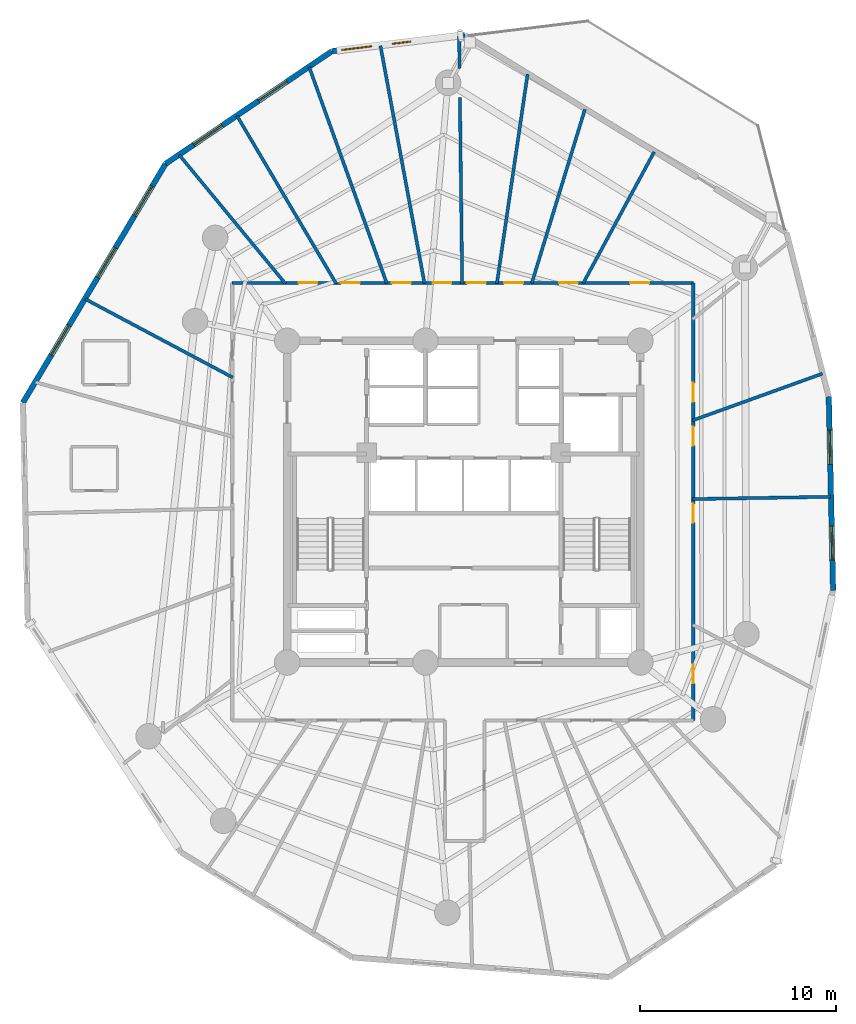
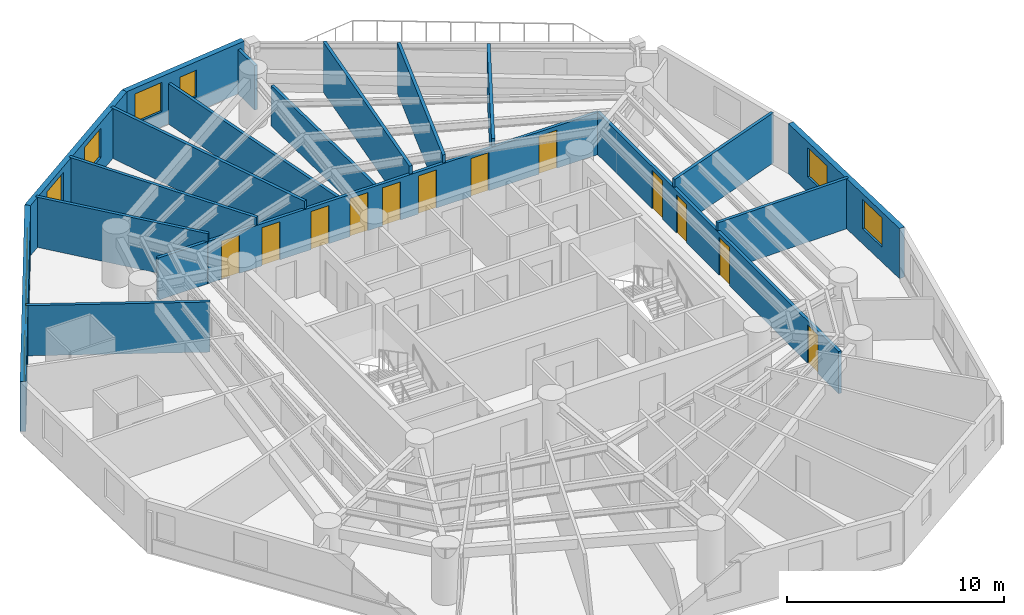
# One storey, part 6 of 9: 18 walls, 12 doors, 9 windows, 21 openings.
"""IFC4 building model written with IfcOpenShell, lengths in metres."""

from ifc_helpers import new_model, si_unit, direction, frame, frame_2d, origin, origin_with_axes, place, context, subcontext, project, spatial, rectangle, extrude, source, transform, mapped, material, layer, layer_set, type_object, element, fill, save


model = new_model("IFC4")

# Units and contexts
model_context = context("Model", 3, precision=1e-05, world=origin(), true_north=direction((0.0, 1.0)))
body_context = subcontext(model_context, "Body", "Model", "MODEL_VIEW")
ifc_project = project(units=[si_unit("LENGTHUNIT", "METRE"), si_unit("AREAUNIT", "SQUARE_METRE"), si_unit("VOLUMEUNIT", "CUBIC_METRE"), si_unit("PLANEANGLEUNIT", "RADIAN"), si_unit("MASSUNIT", "GRAM", prefix="KILO")], contexts=[model_context])

# Site, building, storey
site_placement = place(None, origin())
site = spatial("IfcSite", under=ifc_project, at=site_placement, CompositionType="ELEMENT")
building_placement = place(site_placement, origin())
building = spatial("IfcBuilding", under=site, at=building_placement, Name="Karkom Vertical University and Central Library", CompositionType="ELEMENT")
storey_placement = place(building_placement, frame((0.0, 0.0, 190.10009765625)))
storey = spatial("IfcBuildingStorey", under=building, at=storey_placement, Name="L55", CompositionType="ELEMENT", Elevation=190.10009765625)

# Wall, openings, windows
ifc_material_1 = material(Name="Brick-faced precast concrete C45/55", Category="masonry")
ifc_layer_1 = layer(ifc_material_1, 0.280029296875)
ifc_layer_set_1 = layer_set([ifc_layer_1], Name="Brick-faced precast concrete C45/55")
wall_type_1 = type_object("IfcWallType", Name="ENV-WL-BRK-280", PredefinedType="SOLIDWALL", material=ifc_layer_set_1)
wall_1_placement = place(storey_placement, frame((47.328369140625, 21.97509765625, 0.0), z_axis=(0.0, 0.0, 1.0), x_axis=(-0.022343410657, 0.999750354839, 0.0)))
wall_1 = element("IfcWall", 1, at=wall_1_placement, inside=storey, type_object=wall_type_1, Name="Level 55 Brick-Faced Precast Facade Wall 06", PredefinedType="SOLIDWALL", context=body_context, shape_type="SweptSolid", body=[
    extrude(rectangle(XDim=9.888671875, YDim=0.280029296875, at=frame_2d((4.9443359375, 0.0))), origin(), (0.0, 0.0, 1.0), 2.824951171875),
])
opening_1_placement = place(wall_1_placement, frame((1.5419921875, 0.0, 0.85009765625)))
opening_1 = element("IfcOpeningElement", 2, at=opening_1_placement, cuts=wall_1, Name="Opening WN-08", PredefinedType="OPENING", context=body_context, shape_type="SweptSolid", body=[
    extrude(rectangle(XDim=1.75, YDim=1.64990234375, at=frame_2d((0.875, 0.824951171875))), frame((0.0, 0.14990234375, 0.0), z_axis=(0.0, -1.0, 0.0), x_axis=(1.0, 0.0, 0.0)), (0.0, 0.0, 1.0), 0.300048828125),
])
opening_2_placement = place(wall_1_placement, frame((6.426513671875, 0.0, 0.85009765625)))
opening_2 = element("IfcOpeningElement", 3, at=opening_2_placement, cuts=wall_1, Name="Opening WN-08", PredefinedType="OPENING", context=body_context, shape_type="SweptSolid", body=[
    extrude(rectangle(XDim=1.75, YDim=1.64990234375, at=frame_2d((0.875, 0.824951171875))), frame((0.0, 0.14990234375, 0.0), z_axis=(0.0, -1.0, 0.0), x_axis=(1.0, 0.0, 0.0)), (0.0, 0.0, 1.0), 0.300048828125),
])
ifc_material_2 = material(Name="Aluminium thermal-break frame with solar-control IGU", Category="aluminium")
window_type_1 = type_object("IfcWindowType", Name="ENV-WIN-WN-08", PartitioningType="SINGLE_PANEL", PredefinedType="WINDOW", material=ifc_material_2)
shared_shape_1 = source(origin_with_axes(), body_context, "Body", "SweptSolid", [
    extrude(rectangle(XDim=1.75, YDim=1.64990234375, at=frame_2d((0.875, 0.824951171875))), frame((0.0, 0.030029296875, 0.0), z_axis=(0.0, -1.0, 0.0), x_axis=(1.0, 0.0, 0.0)), (0.0, 0.0, 1.0), 0.06005859375),
])
window_1_placement = place(opening_1_placement, origin())
window_1 = element("IfcWindow", 4, at=window_1_placement, inside=storey, type_object=window_type_1, Name="Level 55 Punched Window 6.1", OverallHeight=1.64990234375, OverallWidth=1.75, PartitioningType="SINGLE_PANEL", PredefinedType="WINDOW", context=body_context, shape_type="MappedRepresentation", body=[
    mapped(shared_shape_1, transform((0.0, 0.0, 0.0), scale=1.0)),
])
fill(opening_1, window_1)
window_2_placement = place(opening_2_placement, origin())
window_2 = element("IfcWindow", 5, at=window_2_placement, inside=storey, type_object=window_type_1, Name="Level 55 Punched Window 6.2", OverallHeight=1.64990234375, OverallWidth=1.75, PartitioningType="SINGLE_PANEL", PredefinedType="WINDOW", context=body_context, shape_type="MappedRepresentation", body=[
    mapped(shared_shape_1, transform((0.0, 0.0, 0.0), scale=1.0)),
])
fill(opening_2, window_2)

wall_2_placement = place(storey_placement, frame((28.55615234375, 50.2861328125, 0.0), z_axis=(0.0, 0.0, 1.0), x_axis=(-0.992692032934, -0.120675298833, 0.0)))
wall_2 = element("IfcWall", 6, at=wall_2_placement, inside=storey, type_object=wall_type_1, Name="Level 55 Brick-Faced Precast Facade Wall 09", PredefinedType="SOLIDWALL", context=body_context, shape_type="SweptSolid", body=[
    extrude(rectangle(XDim=6.825927734375, YDim=0.280029296875, at=frame_2d((3.4130859375, 0.0))), origin(), (0.0, 0.0, 1.0), 2.824951171875),
])
opening_3_placement = place(wall_2_placement, frame((2.776611328125, 0.0, 0.85009765625)))
opening_3 = element("IfcOpeningElement", 7, at=opening_3_placement, cuts=wall_2, Name="Opening WN-12", PredefinedType="OPENING", context=body_context, shape_type="SweptSolid", body=[
    extrude(rectangle(XDim=0.949951171875, YDim=1.5, at=frame_2d((0.47509765625, 0.75))), frame((0.0, 0.14990234375, 0.0), z_axis=(0.0, -1.0, 0.0), x_axis=(1.0, 0.0, 0.0)), (0.0, 0.0, 1.0), 0.300048828125),
])
opening_4_placement = place(wall_2_placement, frame((4.775390625, 0.0, 0.85009765625)))
opening_4 = element("IfcOpeningElement", 8, at=opening_4_placement, cuts=wall_2, Name="Opening WN-09", PredefinedType="OPENING", context=body_context, shape_type="SweptSolid", body=[
    extrude(rectangle(XDim=1.550048828125, YDim=1.64990234375, at=frame_2d((0.77490234375, 0.824951171875))), frame((0.0, 0.14990234375, 0.0), z_axis=(0.0, -1.0, 0.0), x_axis=(1.0, 0.0, 0.0)), (0.0, 0.0, 1.0), 0.300048828125),
])
window_type_2 = type_object("IfcWindowType", Name="ENV-WIN-WN-12", PartitioningType="SINGLE_PANEL", PredefinedType="WINDOW", material=ifc_material_2)
shared_shape_2 = source(origin_with_axes(), body_context, "Body", "SweptSolid", [
    extrude(rectangle(XDim=0.949951171875, YDim=1.5, at=frame_2d((0.47509765625, 0.75))), frame((0.0, 0.030029296875, 0.0), z_axis=(0.0, -1.0, 0.0), x_axis=(1.0, 0.0, 0.0)), (0.0, 0.0, 1.0), 0.06005859375),
])
window_3_placement = place(opening_3_placement, origin())
window_3 = element("IfcWindow", 9, at=window_3_placement, inside=storey, type_object=window_type_2, Name="Level 55 Punched Window 9.1", OverallHeight=1.5, OverallWidth=0.949951171875, PartitioningType="SINGLE_PANEL", PredefinedType="WINDOW", context=body_context, shape_type="MappedRepresentation", body=[
    mapped(shared_shape_2, transform((0.0, 0.0, 0.0), scale=1.0)),
])
fill(opening_3, window_3)
window_type_3 = type_object("IfcWindowType", Name="ENV-WIN-WN-09", PartitioningType="SINGLE_PANEL", PredefinedType="WINDOW", material=ifc_material_2)
shared_shape_3 = source(origin_with_axes(), body_context, "Body", "SweptSolid", [
    extrude(rectangle(XDim=1.550048828125, YDim=1.64990234375, at=frame_2d((0.77490234375, 0.824951171875))), frame((0.0, 0.030029296875, 0.0), z_axis=(0.0, -1.0, 0.0), x_axis=(1.0, 0.0, 0.0)), (0.0, 0.0, 1.0), 0.06005859375),
])
window_4_placement = place(opening_4_placement, origin())
window_4 = element("IfcWindow", 10, at=window_4_placement, inside=storey, type_object=window_type_3, Name="Level 55 Punched Window 9.2", OverallHeight=1.64990234375, OverallWidth=1.550048828125, PartitioningType="SINGLE_PANEL", PredefinedType="WINDOW", context=body_context, shape_type="MappedRepresentation", body=[
    mapped(shared_shape_3, transform((0.0, 0.0, 0.0), scale=1.0)),
])
fill(opening_4, window_4)

wall_3_placement = place(storey_placement, frame((21.780029296875, 49.46240234375, 0.0), z_axis=(0.0, 0.0, 1.0), x_axis=(-0.82803760376, -0.560672566441, 0.0)))
wall_3 = element("IfcWall", 11, at=wall_3_placement, inside=storey, type_object=wall_type_1, Name="Level 55 Brick-Faced Precast Facade Wall 10", PredefinedType="SOLIDWALL", context=body_context, shape_type="SweptSolid", body=[
    extrude(rectangle(XDim=10.239013671875, YDim=0.280029296875, at=frame_2d((5.11962890625, 0.0))), origin(), (0.0, 0.0, 1.0), 2.824951171875),
])
opening_5_placement = place(wall_3_placement, frame((2.764404296875, 0.0, 0.85009765625)))
opening_5 = element("IfcOpeningElement", 12, at=opening_5_placement, cuts=wall_3, Name="Opening WN-08", PredefinedType="OPENING", context=body_context, shape_type="SweptSolid", body=[
    extrude(rectangle(XDim=1.75, YDim=1.64990234375, at=frame_2d((0.875, 0.824951171875))), frame((0.0, 0.14990234375, 0.0), z_axis=(0.0, -1.0, 0.0), x_axis=(1.0, 0.0, 0.0)), (0.0, 0.0, 1.0), 0.300048828125),
])
opening_6_placement = place(wall_3_placement, frame((6.755615234375, 0.0, 0.85009765625)))
opening_6 = element("IfcOpeningElement", 13, at=opening_6_placement, cuts=wall_3, Name="Opening WN-08", PredefinedType="OPENING", context=body_context, shape_type="SweptSolid", body=[
    extrude(rectangle(XDim=1.75, YDim=1.64990234375, at=frame_2d((0.875, 0.824951171875))), frame((0.0, 0.14990234375, 0.0), z_axis=(0.0, -1.0, 0.0), x_axis=(1.0, 0.0, 0.0)), (0.0, 0.0, 1.0), 0.300048828125),
])
window_5_placement = place(opening_5_placement, origin())
window_5 = element("IfcWindow", 14, at=window_5_placement, inside=storey, type_object=window_type_1, Name="Level 55 Punched Window 10.1", OverallHeight=1.64990234375, OverallWidth=1.75, PartitioningType="SINGLE_PANEL", PredefinedType="WINDOW", context=body_context, shape_type="MappedRepresentation", body=[
    mapped(shared_shape_1, transform((0.0, 0.0, 0.0), scale=1.0)),
])
fill(opening_5, window_5)
window_6_placement = place(opening_6_placement, origin())
window_6 = element("IfcWindow", 15, at=window_6_placement, inside=storey, type_object=window_type_1, Name="Level 55 Punched Window 10.2", OverallHeight=1.64990234375, OverallWidth=1.75, PartitioningType="SINGLE_PANEL", PredefinedType="WINDOW", context=body_context, shape_type="MappedRepresentation", body=[
    mapped(shared_shape_1, transform((0.0, 0.0, 0.0), scale=1.0)),
])
fill(opening_6, window_6)

wall_4_placement = place(storey_placement, frame((13.3017578125, 43.7216796875, 0.0), z_axis=(0.0, 0.0, 1.0), x_axis=(-0.512903816994, -0.858446081308, 0.0)))
wall_4 = element("IfcWall", 16, at=wall_4_placement, inside=storey, type_object=wall_type_1, Name="Level 55 Brick-Faced Precast Facade Wall 11", PredefinedType="SOLIDWALL", context=body_context, shape_type="SweptSolid", body=[
    extrude(rectangle(XDim=14.19384765625, YDim=0.280029296875, at=frame_2d((7.096923828125, 0.0))), origin(), (0.0, 0.0, 1.0), 2.824951171875),
])
opening_7_placement = place(wall_4_placement, frame((1.33447265625, 0.0, 0.85009765625)))
opening_7 = element("IfcOpeningElement", 17, at=opening_7_placement, cuts=wall_4, Name="Opening WN-08", PredefinedType="OPENING", context=body_context, shape_type="SweptSolid", body=[
    extrude(rectangle(XDim=1.75, YDim=1.64990234375, at=frame_2d((0.875, 0.824951171875))), frame((0.0, 0.14990234375, 0.0), z_axis=(0.0, -1.0, 0.0), x_axis=(1.0, 0.0, 0.0)), (0.0, 0.0, 1.0), 0.300048828125),
])
opening_8_placement = place(wall_4_placement, frame((4.993408203125, 0.0, 0.85009765625)))
opening_8 = element("IfcOpeningElement", 18, at=opening_8_placement, cuts=wall_4, Name="Opening WN-08", PredefinedType="OPENING", context=body_context, shape_type="SweptSolid", body=[
    extrude(rectangle(XDim=1.75, YDim=1.64990234375, at=frame_2d((0.875, 0.824951171875))), frame((0.0, 0.14990234375, 0.0), z_axis=(0.0, -1.0, 0.0), x_axis=(1.0, 0.0, 0.0)), (0.0, 0.0, 1.0), 0.300048828125),
])
opening_9_placement = place(wall_4_placement, frame((9.607666015625, 0.0, 0.85009765625)))
opening_9 = element("IfcOpeningElement", 19, at=opening_9_placement, cuts=wall_4, Name="Opening WN-08", PredefinedType="OPENING", context=body_context, shape_type="SweptSolid", body=[
    extrude(rectangle(XDim=1.75, YDim=1.64990234375, at=frame_2d((0.875, 0.824951171875))), frame((0.0, 0.14990234375, 0.0), z_axis=(0.0, -1.0, 0.0), x_axis=(1.0, 0.0, 0.0)), (0.0, 0.0, 1.0), 0.300048828125),
])
window_7_placement = place(opening_7_placement, origin())
window_7 = element("IfcWindow", 20, at=window_7_placement, inside=storey, type_object=window_type_1, Name="Level 55 Punched Window 11.1", OverallHeight=1.64990234375, OverallWidth=1.75, PartitioningType="SINGLE_PANEL", PredefinedType="WINDOW", context=body_context, shape_type="MappedRepresentation", body=[
    mapped(shared_shape_1, transform((0.0, 0.0, 0.0), scale=1.0)),
])
fill(opening_7, window_7)
window_8_placement = place(opening_8_placement, origin())
window_8 = element("IfcWindow", 21, at=window_8_placement, inside=storey, type_object=window_type_1, Name="Level 55 Punched Window 11.2", OverallHeight=1.64990234375, OverallWidth=1.75, PartitioningType="SINGLE_PANEL", PredefinedType="WINDOW", context=body_context, shape_type="MappedRepresentation", body=[
    mapped(shared_shape_1, transform((0.0, 0.0, 0.0), scale=1.0)),
])
fill(opening_8, window_8)
window_9_placement = place(opening_9_placement, origin())
window_9 = element("IfcWindow", 22, at=window_9_placement, inside=storey, type_object=window_type_1, Name="Level 55 Punched Window 11.3", OverallHeight=1.64990234375, OverallWidth=1.75, PartitioningType="SINGLE_PANEL", PredefinedType="WINDOW", context=body_context, shape_type="MappedRepresentation", body=[
    mapped(shared_shape_1, transform((0.0, 0.0, 0.0), scale=1.0)),
])
fill(opening_9, window_9)

# Wall, openings, doors
ifc_material_3 = material(Name="Insulated metal-stud drywall 160mm", Category="gypsum")
ifc_layer_2 = layer(ifc_material_3, 0.159912109375)
ifc_layer_set_2 = layer_set([ifc_layer_2], Name="Insulated metal-stud drywall 160mm")
wall_type_2 = type_object("IfcWallType", Name="INT-WL-COR-160", PredefinedType="PARTITIONING", material=ifc_layer_set_2)
wall_5_placement = place(storey_placement, frame((16.699951171875, 37.64990234375, 0.0), z_axis=(0.0, 0.0, 1.0), x_axis=(1.0, 0.0, 0.0)))
wall_5 = element("IfcWall", 23, at=wall_5_placement, inside=storey, type_object=wall_type_2, Name="Level 55 Interior Partition Wall L55-CORW-CW-003", PredefinedType="PARTITIONING", context=body_context, shape_type="SweptSolid", body=[
    extrude(rectangle(XDim=23.5, YDim=0.159912109375, at=frame_2d((11.75, 0.0))), origin(), (0.0, 0.0, 1.0), 2.375),
])
opening_10_placement = place(wall_5_placement, frame((20.285400390625, 0.0, 0.0)))
opening_10 = element("IfcOpeningElement", 24, at=opening_10_placement, cuts=wall_5, Name="Opening FD-RM2", PredefinedType="OPENING", context=body_context, shape_type="SweptSolid", body=[
    extrude(rectangle(XDim=0.9599609375, YDim=2.14990234375, at=frame_2d((0.47998046875, 1.074951171875))), frame((0.0, 0.08984375, 0.0), z_axis=(0.0, -1.0, 0.0), x_axis=(1.0, 0.0, 0.0)), (0.0, 0.0, 1.0), 0.179931640625),
])
opening_11_placement = place(wall_5_placement, frame((16.659912109375, 0.0, 0.0)))
opening_11 = element("IfcOpeningElement", 25, at=opening_11_placement, cuts=wall_5, Name="Opening FD-RM2", PredefinedType="OPENING", context=body_context, shape_type="SweptSolid", body=[
    extrude(rectangle(XDim=0.9599609375, YDim=2.14990234375, at=frame_2d((0.47998046875, 1.074951171875))), frame((0.0, 0.08984375, 0.0), z_axis=(0.0, -1.0, 0.0), x_axis=(1.0, 0.0, 0.0)), (0.0, 0.0, 1.0), 0.179931640625),
])
opening_12_placement = place(wall_5_placement, frame((13.86328125, 0.0, 0.0)))
opening_12 = element("IfcOpeningElement", 26, at=opening_12_placement, cuts=wall_5, Name="Opening FD-RM2", PredefinedType="OPENING", context=body_context, shape_type="SweptSolid", body=[
    extrude(rectangle(XDim=0.9599609375, YDim=2.14990234375, at=frame_2d((0.47998046875, 1.074951171875))), frame((0.0, 0.08984375, 0.0), z_axis=(0.0, -1.0, 0.0), x_axis=(1.0, 0.0, 0.0)), (0.0, 0.0, 1.0), 0.179931640625),
])
opening_13_placement = place(wall_5_placement, frame((11.965087890625, 0.0, 0.0)))
opening_13 = element("IfcOpeningElement", 27, at=opening_13_placement, cuts=wall_5, Name="Opening FD-RM2", PredefinedType="OPENING", context=body_context, shape_type="SweptSolid", body=[
    extrude(rectangle(XDim=0.9599609375, YDim=2.14990234375, at=frame_2d((0.47998046875, 1.074951171875))), frame((0.0, 0.08984375, 0.0), z_axis=(0.0, -1.0, 0.0), x_axis=(1.0, 0.0, 0.0)), (0.0, 0.0, 1.0), 0.179931640625),
])
opening_14_placement = place(wall_5_placement, frame((10.214599609375, 0.0, 0.0)))
opening_14 = element("IfcOpeningElement", 28, at=opening_14_placement, cuts=wall_5, Name="Opening FD-RM2", PredefinedType="OPENING", context=body_context, shape_type="SweptSolid", body=[
    extrude(rectangle(XDim=0.9599609375, YDim=2.14990234375, at=frame_2d((0.47998046875, 1.074951171875))), frame((0.0, 0.08984375, 0.0), z_axis=(0.0, -1.0, 0.0), x_axis=(1.0, 0.0, 0.0)), (0.0, 0.0, 1.0), 0.179931640625),
])
opening_15_placement = place(wall_5_placement, frame((8.139892578125, 0.0, 0.0)))
opening_15 = element("IfcOpeningElement", 29, at=opening_15_placement, cuts=wall_5, Name="Opening FD-RM2", PredefinedType="OPENING", context=body_context, shape_type="SweptSolid", body=[
    extrude(rectangle(XDim=0.9599609375, YDim=2.14990234375, at=frame_2d((0.47998046875, 1.074951171875))), frame((0.0, 0.08984375, 0.0), z_axis=(0.0, -1.0, 0.0), x_axis=(1.0, 0.0, 0.0)), (0.0, 0.0, 1.0), 0.179931640625),
])
opening_16_placement = place(wall_5_placement, frame((5.5400390625, 0.0, 0.0)))
opening_16 = element("IfcOpeningElement", 30, at=opening_16_placement, cuts=wall_5, Name="Opening FD-RM2", PredefinedType="OPENING", context=body_context, shape_type="SweptSolid", body=[
    extrude(rectangle(XDim=0.9599609375, YDim=2.14990234375, at=frame_2d((0.47998046875, 1.074951171875))), frame((0.0, 0.08984375, 0.0), z_axis=(0.0, -1.0, 0.0), x_axis=(1.0, 0.0, 0.0)), (0.0, 0.0, 1.0), 0.179931640625),
])
opening_17_placement = place(wall_5_placement, frame((3.37744140625, 0.0, 0.0)))
opening_17 = element("IfcOpeningElement", 31, at=opening_17_placement, cuts=wall_5, Name="Opening FD-RM2", PredefinedType="OPENING", context=body_context, shape_type="SweptSolid", body=[
    extrude(rectangle(XDim=0.9599609375, YDim=2.14990234375, at=frame_2d((0.47998046875, 1.074951171875))), frame((0.0, 0.08984375, 0.0), z_axis=(0.0, -1.0, 0.0), x_axis=(1.0, 0.0, 0.0)), (0.0, 0.0, 1.0), 0.179931640625),
])
ifc_material_4 = material(Name="Fire-rated oak veneer door", Category="wood")
door_type = type_object("IfcDoorType", Name="INT-DR-FRM2", OperationType="NOTDEFINED", PredefinedType="DOOR", material=ifc_material_4)
shared_shape_4 = source(origin_with_axes(), body_context, "Body", "SweptSolid", [
    extrude(rectangle(XDim=0.9599609375, YDim=2.14990234375, at=frame_2d((0.47998046875, 1.074951171875))), frame((0.0, 0.02490234375, 0.0), z_axis=(0.0, -1.0, 0.0), x_axis=(1.0, 0.0, 0.0)), (0.0, 0.0, 1.0), 0.050048828125),
])
door_1_placement = place(opening_10_placement, origin())
door_1 = element("IfcDoor", 32, at=door_1_placement, inside=storey, type_object=door_type, Name="Level 55 Room Entry Door 161", OperationType="SINGLE_SWING_RIGHT", OverallHeight=2.14990234375, OverallWidth=0.9599609375, PredefinedType="DOOR", context=body_context, shape_type="MappedRepresentation", body=[
    mapped(shared_shape_4, transform((0.0, 0.0, 0.0), scale=1.0)),
])
fill(opening_10, door_1)
door_2_placement = place(opening_11_placement, origin())
door_2 = element("IfcDoor", 33, at=door_2_placement, inside=storey, type_object=door_type, Name="Level 55 Room Entry Door 171", OperationType="SINGLE_SWING_LEFT", OverallHeight=2.14990234375, OverallWidth=0.9599609375, PredefinedType="DOOR", context=body_context, shape_type="MappedRepresentation", body=[
    mapped(shared_shape_4, transform((0.0, 0.0, 0.0), scale=1.0)),
])
fill(opening_11, door_2)
door_3_placement = place(opening_12_placement, origin())
door_3 = element("IfcDoor", 34, at=door_3_placement, inside=storey, type_object=door_type, Name="Level 55 Room Entry Door 181", OperationType="SINGLE_SWING_RIGHT", OverallHeight=2.14990234375, OverallWidth=0.9599609375, PredefinedType="DOOR", context=body_context, shape_type="MappedRepresentation", body=[
    mapped(shared_shape_4, transform((0.0, 0.0, 0.0), scale=1.0)),
])
fill(opening_12, door_3)
door_4_placement = place(opening_13_placement, origin())
door_4 = element("IfcDoor", 35, at=door_4_placement, inside=storey, type_object=door_type, Name="Level 55 Room Entry Door 191", OperationType="SINGLE_SWING_LEFT", OverallHeight=2.14990234375, OverallWidth=0.9599609375, PredefinedType="DOOR", context=body_context, shape_type="MappedRepresentation", body=[
    mapped(shared_shape_4, transform((0.0, 0.0, 0.0), scale=1.0)),
])
fill(opening_13, door_4)
door_5_placement = place(opening_14_placement, origin())
door_5 = element("IfcDoor", 36, at=door_5_placement, inside=storey, type_object=door_type, Name="Level 55 Room Entry Door 201", OperationType="SINGLE_SWING_RIGHT", OverallHeight=2.14990234375, OverallWidth=0.9599609375, PredefinedType="DOOR", context=body_context, shape_type="MappedRepresentation", body=[
    mapped(shared_shape_4, transform((0.0, 0.0, 0.0), scale=1.0)),
])
fill(opening_14, door_5)
door_6_placement = place(opening_15_placement, origin())
door_6 = element("IfcDoor", 37, at=door_6_placement, inside=storey, type_object=door_type, Name="Level 55 Room Entry Door 211", OperationType="SINGLE_SWING_LEFT", OverallHeight=2.14990234375, OverallWidth=0.9599609375, PredefinedType="DOOR", context=body_context, shape_type="MappedRepresentation", body=[
    mapped(shared_shape_4, transform((0.0, 0.0, 0.0), scale=1.0)),
])
fill(opening_15, door_6)
door_7_placement = place(opening_16_placement, origin())
door_7 = element("IfcDoor", 38, at=door_7_placement, inside=storey, type_object=door_type, Name="Level 55 Room Entry Door 221", OperationType="SINGLE_SWING_RIGHT", OverallHeight=2.14990234375, OverallWidth=0.9599609375, PredefinedType="DOOR", context=body_context, shape_type="MappedRepresentation", body=[
    mapped(shared_shape_4, transform((0.0, 0.0, 0.0), scale=1.0)),
])
fill(opening_16, door_7)
door_8_placement = place(opening_17_placement, origin())
door_8 = element("IfcDoor", 39, at=door_8_placement, inside=storey, type_object=door_type, Name="Level 55 Room Entry Door 231", OperationType="SINGLE_SWING_LEFT", OverallHeight=2.14990234375, OverallWidth=0.9599609375, PredefinedType="DOOR", context=body_context, shape_type="MappedRepresentation", body=[
    mapped(shared_shape_4, transform((0.0, 0.0, 0.0), scale=1.0)),
])
fill(opening_17, door_8)

wall_6_placement = place(storey_placement, frame((40.199951171875, 37.64990234375, 0.0), z_axis=(0.0, 0.0, 1.0), x_axis=(0.0, -1.0, 0.0)))
wall_6 = element("IfcWall", 40, at=wall_6_placement, inside=storey, type_object=wall_type_2, Name="Level 55 Interior Partition Wall L55-CORW-CW-004", PredefinedType="PARTITIONING", context=body_context, shape_type="SweptSolid", body=[
    extrude(rectangle(XDim=22.2998046875, YDim=0.159912109375, at=frame_2d((11.14990234375, 0.0))), origin(), (0.0, 0.0, 1.0), 2.375),
])
opening_18_placement = place(wall_6_placement, frame((19.455322265625, 0.0, 0.0)))
opening_18 = element("IfcOpeningElement", 41, at=opening_18_placement, cuts=wall_6, Name="Opening FD-RM2", PredefinedType="OPENING", context=body_context, shape_type="SweptSolid", body=[
    extrude(rectangle(XDim=0.9599609375, YDim=2.14990234375, at=frame_2d((0.47998046875, 1.074951171875))), frame((0.0, 0.08984375, 0.0), z_axis=(0.0, -1.0, 0.0), x_axis=(1.0, 0.0, 0.0)), (0.0, 0.0, 1.0), 0.179931640625),
])
opening_19_placement = place(wall_6_placement, frame((11.264892578125, 0.0, 0.0)))
opening_19 = element("IfcOpeningElement", 42, at=opening_19_placement, cuts=wall_6, Name="Opening FD-RM2", PredefinedType="OPENING", context=body_context, shape_type="SweptSolid", body=[
    extrude(rectangle(XDim=0.9599609375, YDim=2.14990234375, at=frame_2d((0.47998046875, 1.074951171875))), frame((0.0, 0.08984375, 0.0), z_axis=(0.0, -1.0, 0.0), x_axis=(1.0, 0.0, 0.0)), (0.0, 0.0, 1.0), 0.179931640625),
])
opening_20_placement = place(wall_6_placement, frame((7.330078125, 0.0, 0.0)))
opening_20 = element("IfcOpeningElement", 43, at=opening_20_placement, cuts=wall_6, Name="Opening FD-RM2", PredefinedType="OPENING", context=body_context, shape_type="SweptSolid", body=[
    extrude(rectangle(XDim=0.9599609375, YDim=2.14990234375, at=frame_2d((0.47998046875, 1.074951171875))), frame((0.0, 0.08984375, 0.0), z_axis=(0.0, -1.0, 0.0), x_axis=(1.0, 0.0, 0.0)), (0.0, 0.0, 1.0), 0.179931640625),
])
opening_21_placement = place(wall_6_placement, frame((5.10009765625, 0.0, 0.0)))
opening_21 = element("IfcOpeningElement", 44, at=opening_21_placement, cuts=wall_6, Name="Opening FD-RM2", PredefinedType="OPENING", context=body_context, shape_type="SweptSolid", body=[
    extrude(rectangle(XDim=0.9599609375, YDim=2.14990234375, at=frame_2d((0.47998046875, 1.074951171875))), frame((0.0, 0.08984375, 0.0), z_axis=(0.0, -1.0, 0.0), x_axis=(1.0, 0.0, 0.0)), (0.0, 0.0, 1.0), 0.179931640625),
])
door_9_placement = place(opening_18_placement, origin())
door_9 = element("IfcDoor", 45, at=door_9_placement, inside=storey, type_object=door_type, Name="Level 55 Room Entry Door 121", OperationType="SINGLE_SWING_RIGHT", OverallHeight=2.14990234375, OverallWidth=0.9599609375, PredefinedType="DOOR", context=body_context, shape_type="MappedRepresentation", body=[
    mapped(shared_shape_4, transform((0.0, 0.0, 0.0), scale=1.0)),
])
fill(opening_18, door_9)
door_10_placement = place(opening_19_placement, origin())
door_10 = element("IfcDoor", 46, at=door_10_placement, inside=storey, type_object=door_type, Name="Level 55 Room Entry Door 131", OperationType="SINGLE_SWING_LEFT", OverallHeight=2.14990234375, OverallWidth=0.9599609375, PredefinedType="DOOR", context=body_context, shape_type="MappedRepresentation", body=[
    mapped(shared_shape_4, transform((0.0, 0.0, 0.0), scale=1.0)),
])
fill(opening_19, door_10)
door_11_placement = place(opening_20_placement, origin())
door_11 = element("IfcDoor", 47, at=door_11_placement, inside=storey, type_object=door_type, Name="Level 55 Room Entry Door 141", OperationType="SINGLE_SWING_RIGHT", OverallHeight=2.14990234375, OverallWidth=0.9599609375, PredefinedType="DOOR", context=body_context, shape_type="MappedRepresentation", body=[
    mapped(shared_shape_4, transform((0.0, 0.0, 0.0), scale=1.0)),
])
fill(opening_20, door_11)
door_12_placement = place(opening_21_placement, origin())
door_12 = element("IfcDoor", 48, at=door_12_placement, inside=storey, type_object=door_type, Name="Level 55 Room Entry Door 151", OperationType="SINGLE_SWING_LEFT", OverallHeight=2.14990234375, OverallWidth=0.9599609375, PredefinedType="DOOR", context=body_context, shape_type="MappedRepresentation", body=[
    mapped(shared_shape_4, transform((0.0, 0.0, 0.0), scale=1.0)),
])
fill(opening_21, door_12)

# Walls
wall_7_placement = place(storey_placement, frame((26.499755859375, 37.62060546875, 0.0), z_axis=(0.0, 0.0, 1.0), x_axis=(-0.182240362036, 0.983254011151, 0.0)))
element("IfcWall", 49, at=wall_7_placement, inside=storey, type_object=wall_type_2, Name="Level 55 Interior Partition Wall L55-PW-028", PredefinedType="PARTITIONING", context=body_context, shape_type="SweptSolid", body=[
    extrude(rectangle(XDim=12.323486328125, YDim=0.159912109375, at=frame_2d((6.16162109375, 0.0))), origin(), (0.0, 0.0, 1.0), 2.27490234375),
])
wall_8_placement = place(storey_placement, frame((24.576904296875, 37.621826171875, 0.0), z_axis=(0.0, 0.0, 1.0), x_axis=(-0.337446658825, 0.941344651256, 0.0)))
element("IfcWall", 50, at=wall_8_placement, inside=storey, type_object=wall_type_2, Name="Level 55 Interior Partition Wall L55-PW-029", PredefinedType="PARTITIONING", context=body_context, shape_type="SweptSolid", body=[
    extrude(rectangle(XDim=11.712646484375, YDim=0.159912109375, at=frame_2d((5.8564453125, 0.0))), origin(), (0.0, 0.0, 1.0), 2.824951171875),
])
wall_9_placement = place(storey_placement, frame((30.190185546875, 37.620361328125, 0.0), z_axis=(0.0, 0.0, 1.0), x_axis=(0.144990049748, 0.989433113189, 0.0)))
element("IfcWall", 51, at=wall_9_placement, inside=storey, type_object=wall_type_2, Name="Level 55 Interior Partition Wall L55-PW-025", PredefinedType="PARTITIONING", context=body_context, shape_type="SweptSolid", body=[
    extrude(rectangle(XDim=10.78173828125, YDim=0.159912109375, at=frame_2d((5.390869140625, 0.0))), origin(), (0.0, 0.0, 1.0), 2.824951171875),
])
wall_10_placement = place(storey_placement, frame((22.00048828125, 37.611328125, 0.0), z_axis=(0.0, 0.0, 1.0), x_axis=(-0.508928084583, 0.8608090408, 0.0)))
element("IfcWall", 52, at=wall_10_placement, inside=storey, type_object=wall_type_2, Name="Level 55 Interior Partition Wall L55-PW-030", PredefinedType="PARTITIONING", context=body_context, shape_type="SweptSolid", body=[
    extrude(rectangle(XDim=9.9306640625, YDim=0.159912109375, at=frame_2d((4.96533203125, 0.0))), origin(), (0.0, 0.0, 1.0), 2.824951171875),
])
wall_11_placement = place(storey_placement, frame((28.42138671875, 37.60498046875, 0.0), z_axis=(0.0, 0.0, 1.0), x_axis=(-0.01245633196, 0.999922416887, 0.0)))
element("IfcWall", 53, at=wall_11_placement, inside=storey, type_object=wall_type_2, Name="Level 55 Interior Partition Wall L55-PW-026", PredefinedType="PARTITIONING", context=body_context, shape_type="SweptSolid", body=[
    extrude(rectangle(XDim=9.505859375, YDim=0.159912109375, at=frame_2d((4.7529296875, 0.0))), origin(), (0.0, 0.0, 1.0), 2.27490234375),
])
wall_12_placement = place(storey_placement, frame((31.962890625, 37.621337890625, 0.0), z_axis=(0.0, 0.0, 1.0), x_axis=(0.292360870747, 0.956308068175, 0.0)))
element("IfcWall", 54, at=wall_12_placement, inside=storey, type_object=wall_type_2, Name="Level 55 Interior Partition Wall L55-PW-024", PredefinedType="PARTITIONING", context=body_context, shape_type="SweptSolid", body=[
    extrude(rectangle(XDim=9.28173828125, YDim=0.159912109375, at=frame_2d((4.640869140625, 0.0))), origin(), (0.0, 0.0, 1.0), 2.824951171875),
])
wall_13_placement = place(storey_placement, frame((16.7265625, 32.827880859375, 0.0), z_axis=(0.0, 0.0, 1.0), x_axis=(-0.882944481413, 0.469477414517, 0.0)))
element("IfcWall", 55, at=wall_13_placement, inside=storey, type_object=wall_type_2, Name="Level 55 Interior Partition Wall L55-PW-032", PredefinedType="PARTITIONING", context=body_context, shape_type="SweptSolid", body=[
    extrude(rectangle(XDim=8.512939453125, YDim=0.159912109375, at=frame_2d((4.25634765625, 0.0))), origin(), (0.0, 0.0, 1.0), 2.824951171875),
])
wall_14_placement = place(storey_placement, frame((19.408203125, 37.615234375, 0.0), z_axis=(0.0, 0.0, 1.0), x_axis=(-0.636333777541, 0.771413847141, 0.0)))
element("IfcWall", 56, at=wall_14_placement, inside=storey, type_object=wall_type_2, Name="Level 55 Interior Partition Wall L55-PW-031", PredefinedType="PARTITIONING", context=body_context, shape_type="SweptSolid", body=[
    extrude(rectangle(XDim=8.492919921875, YDim=0.159912109375, at=frame_2d((4.24658203125, 0.0))), origin(), (0.0, 0.0, 1.0), 2.824951171875),
])
wall_15_placement = place(storey_placement, frame((34.5830078125, 37.62353515625, 0.0), z_axis=(0.0, 0.0, 1.0), x_axis=(0.47560743502, 0.879657642355, 0.0)))
element("IfcWall", 57, at=wall_15_placement, inside=storey, type_object=wall_type_2, Name="Level 55 Interior Partition Wall L55-PW-023", PredefinedType="PARTITIONING", context=body_context, shape_type="SweptSolid", body=[
    extrude(rectangle(XDim=7.62548828125, YDim=0.159912109375, at=frame_2d((3.812744140625, 0.0))), origin(), (0.0, 0.0, 1.0), 2.824951171875),
])
wall_16_placement = place(storey_placement, frame((40.155029296875, 26.631591796875, 0.0), z_axis=(0.0, 0.0, 1.0), x_axis=(0.999864992507, 0.016431578076, 0.0)))
element("IfcWall", 58, at=wall_16_placement, inside=storey, type_object=wall_type_2, Name="Level 55 Interior Partition Wall L55-PW-019", PredefinedType="PARTITIONING", context=body_context, shape_type="SweptSolid", body=[
    extrude(rectangle(XDim=7.042724609375, YDim=0.159912109375, at=frame_2d((3.521484375, 0.0))), origin(), (0.0, 0.0, 1.0), 2.824951171875),
])
wall_17_placement = place(storey_placement, frame((40.171875, 30.642333984375, 0.0), z_axis=(0.0, 0.0, 1.0), x_axis=(0.9407806174, 0.339015972964, 0.0)))
element("IfcWall", 59, at=wall_17_placement, inside=storey, type_object=wall_type_2, Name="Level 55 Interior Partition Wall L55-PW-020", PredefinedType="PARTITIONING", context=body_context, shape_type="SweptSolid", body=[
    extrude(rectangle(XDim=7.0263671875, YDim=0.159912109375, at=frame_2d((3.51318359375, 0.0))), origin(), (0.0, 0.0, 1.0), 2.824951171875),
])
wall_18_placement = place(storey_placement, frame((28.284423828125, 48.590087890625, 0.0), z_axis=(0.0, 0.0, 1.0), x_axis=(-0.01239265735, 0.999923208073, 0.0)))
element("IfcWall", 60, at=wall_18_placement, inside=storey, type_object=wall_type_2, Name="Level 55 Interior Partition Wall L55-PW-027", PredefinedType="PARTITIONING", context=body_context, shape_type="SweptSolid", body=[
    extrude(rectangle(XDim=1.63525390625, YDim=0.159912109375, at=frame_2d((0.817626953125, 0.0))), origin(), (0.0, 0.0, 1.0), 2.494873046875),
])

save(model, "model.ifc")
